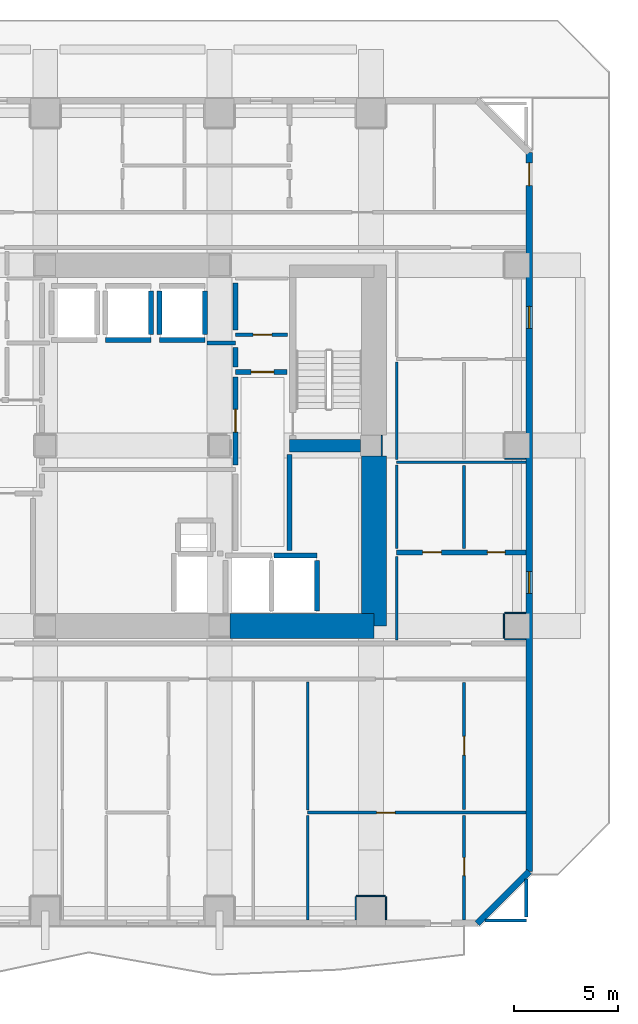
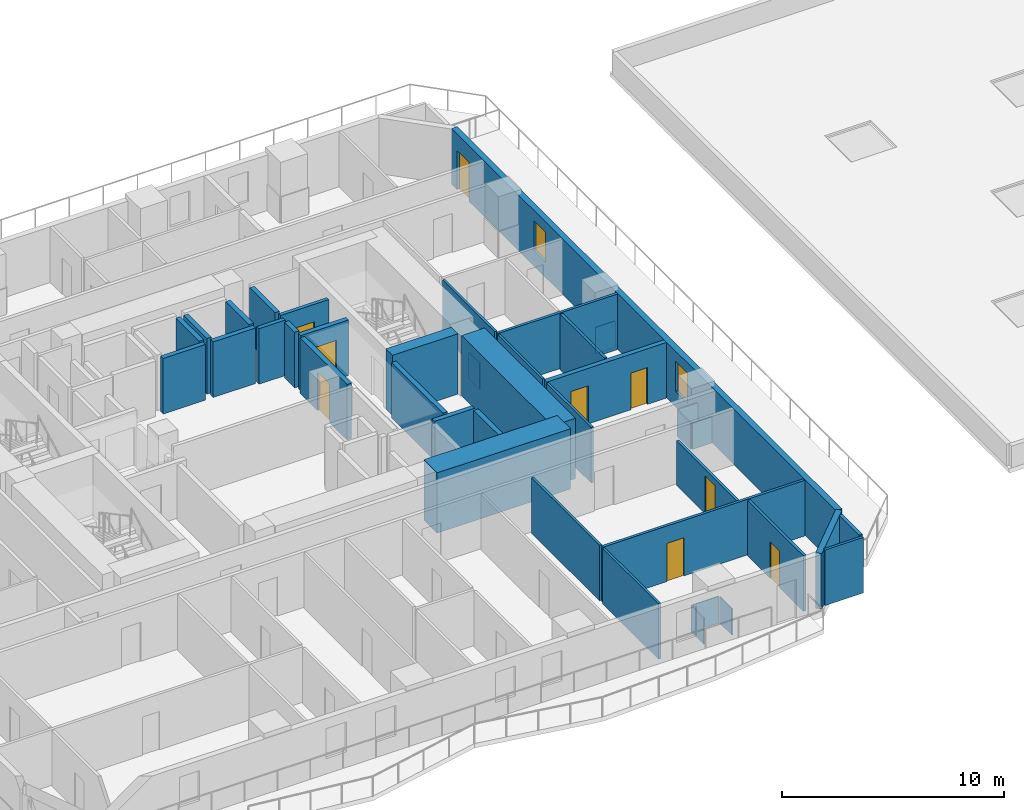
# One storey, part 6 of 13: 40 walls, 9 doors, 2 windows, 11 openings.
"""IFC4 building model written with IfcOpenShell, lengths in metres."""

from ifc_helpers import new_model, si_unit, direction, frame, frame_2d, origin, place, context, subcontext, project, spatial, rectangle, extrude, material, layer, layer_set, type_object, element, fill, save


model = new_model("IFC4")

# Units and contexts
model_context = context("Model", 3, precision=1e-05, world=origin(), true_north=direction((0.0, 1.0)))
body_context = subcontext(model_context, "Body", "Model", "MODEL_VIEW")
ifc_project = project(units=[si_unit("LENGTHUNIT", "METRE"), si_unit("AREAUNIT", "SQUARE_METRE"), si_unit("VOLUMEUNIT", "CUBIC_METRE"), si_unit("PLANEANGLEUNIT", "RADIAN"), si_unit("MASSUNIT", "GRAM", prefix="KILO")], contexts=[model_context])

# Site, building, storey
site_placement = place(None, origin())
site = spatial("IfcSite", under=ifc_project, at=site_placement, CompositionType="ELEMENT")
building_placement = place(site_placement, origin())
building = spatial("IfcBuilding", under=site, at=building_placement, Name="Solanera Arch Residences", CompositionType="ELEMENT")
storey_placement = place(building_placement, frame((0.0, 0.0, 22.0)))
storey = spatial("IfcBuildingStorey", under=building, at=storey_placement, Name="L05", CompositionType="ELEMENT", Elevation=22.0)

# Walls
ifc_material_1 = material(Name="Fire-Rated Gypsum Stud Partition", Category="gypsum")
ifc_layer_1 = layer(ifc_material_1, 0.06005859375)
ifc_layer_set_1 = layer_set([ifc_layer_1], Name="Fire-Rated Gypsum Stud Partition")
wall_type_1 = type_object("IfcWallType", Name="Column Acoustic Furring Wall 60", PredefinedType="PARTITIONING", material=ifc_layer_set_1)
wall_1_placement = place(storey_placement, frame((37.031982421875, 30.2099609375, 0.0), z_axis=(0.0, 0.0, 1.0), x_axis=(0.0, 1.0, 0.0)))
element("IfcWall", 1, at=wall_1_placement, inside=storey, type_object=wall_type_1, Name="L05 Column Furring 6E", PredefinedType="PARTITIONING", context=body_context, shape_type="SweptSolid", body=[
    extrude(rectangle(XDim=0.97998046875, YDim=0.06005859375, at=frame_2d((0.489990234375, 0.0))), origin(), (0.0, 0.0, 1.0), 1.449951171875),
])
wall_2_placement = place(storey_placement, frame((35.800048828125, 8.98193359375, 0.0), z_axis=(0.0, 0.0, 1.0), x_axis=(1.0, 0.0, 0.0)))
element("IfcWall", 2, at=wall_2_placement, inside=storey, type_object=wall_type_1, Name="L05 Column Furring 15N", PredefinedType="PARTITIONING", context=body_context, shape_type="SweptSolid", body=[
    extrude(rectangle(XDim=1.39990234375, YDim=0.06005859375, at=frame_2d((0.699951171875, 0.0))), origin(), (0.0, 0.0, 1.0), 1.449951171875),
])
for number, where, z_axis, x_axis, name in (
    (3, (35.76806640625, 7.830078125, 0.0), (0.0, 0.0, 1.0), (0.0, 1.0, 0.0), "L05 Column Furring 15W"),
    (4, (37.23193359375, 7.830078125, 0.0), (0.0, 0.0, 1.0), (0.0, 1.0, 0.0), "L05 Column Furring 15E"),
):
    element("IfcWall", number, at=place(storey_placement, frame(where, z_axis=z_axis, x_axis=x_axis)), inside=storey, type_object=wall_type_1, Name=name, PredefinedType="PARTITIONING", context=body_context, shape_type="SweptSolid", body=[
        extrude(rectangle(XDim=1.119873046875, YDim=0.06005859375, at=frame_2d((0.56005859375, 0.0))), origin(), (0.0, 0.0, 1.0), 1.449951171875),
    ])
for number, where, z_axis, x_axis, name in (
    (5, (42.949951171875, 21.367919921875, 0.0), (0.0, 0.0, 1.0), (1.0, 0.0, 0.0), "L05 Column Furring 18S"),
    (6, (42.949951171875, 22.632080078125, 0.0), (0.0, 0.0, 1.0), (1.0, 0.0, 0.0), "L05 Column Furring 18N"),
):
    element("IfcWall", number, at=place(storey_placement, frame(where, z_axis=z_axis, x_axis=x_axis)), inside=storey, type_object=wall_type_1, Name=name, PredefinedType="PARTITIONING", context=body_context, shape_type="SweptSolid", body=[
        extrude(rectangle(XDim=1.02001953125, YDim=0.06005859375, at=frame_2d((0.510009765625, 0.0))), origin(), (0.0, 0.0, 1.0), 1.449951171875),
    ])
wall_3_placement = place(storey_placement, frame((42.91796875, 21.39990234375, 0.0), z_axis=(0.0, 0.0, 1.0), x_axis=(0.0, 1.0, 0.0)))
element("IfcWall", 7, at=wall_3_placement, inside=storey, type_object=wall_type_1, Name="L05 Column Furring 18W", PredefinedType="PARTITIONING", context=body_context, shape_type="SweptSolid", body=[
    extrude(rectangle(XDim=1.2001953125, YDim=0.06005859375, at=frame_2d((0.60009765625, 0.0))), origin(), (0.0, 0.0, 1.0), 1.449951171875),
])
wall_4_placement = place(storey_placement, frame((42.949951171875, 30.068115234375, 0.0), z_axis=(0.0, 0.0, 1.0), x_axis=(1.0, 0.0, 0.0)))
element("IfcWall", 8, at=wall_4_placement, inside=storey, type_object=wall_type_1, Name="L05 Column Furring 20S", PredefinedType="PARTITIONING", context=body_context, shape_type="SweptSolid", body=[
    extrude(rectangle(XDim=1.02001953125, YDim=0.06005859375, at=frame_2d((0.510009765625, 0.0))), origin(), (0.0, 0.0, 1.0), 1.449951171875),
])
ifc_material_2 = material(Name="Concrete C55/67 (f'c = 60 MPa)", Category="concrete")
ifc_layer_2 = layer(ifc_material_2, 1.199951171875)
ifc_layer_set_2 = layer_set([ifc_layer_2], Name="Concrete C55/67 (f'c = 60 MPa)")
wall_type_2 = type_object("IfcWallType", Name="Core Shear Wall CW-1200", PredefinedType="SHEAR", material=ifc_layer_set_2)
wall_5_placement = place(storey_placement, frame((36.659912109375, 22.0, 0.0), z_axis=(0.0, 0.0, 1.0), x_axis=(0.0, 1.0, 0.0)))
element("IfcWall", 9, at=wall_5_placement, inside=storey, type_object=wall_type_2, Name="L05 East Core South Shear Wall", PredefinedType="SHEAR", context=body_context, shape_type="SweptSolid", body=[
    extrude(rectangle(XDim=8.195068359375, YDim=1.199951171875, at=frame_2d((4.09765625, 0.0))), origin(), (0.0, 0.0, 1.0), 3.320068359375),
])
wall_6_placement = place(storey_placement, frame((29.705078125, 22.0, 0.0), z_axis=(0.0, 0.0, 1.0), x_axis=(1.0, 0.0, 0.0)))
element("IfcWall", 10, at=wall_6_placement, inside=storey, type_object=wall_type_2, Name="L05 South-East Core Shear Wall", PredefinedType="SHEAR", context=body_context, shape_type="SweptSolid", body=[
    extrude(rectangle(XDim=6.954833984375, YDim=1.199951171875, at=frame_2d((3.4775390625, 0.0))), origin(), (0.0, 0.0, 1.0), 3.320068359375),
])
ifc_material_3 = material(Name="Concrete C40/50 (f'c = 45 MPa)", Category="concrete")
ifc_layer_3 = layer(ifc_material_3, 0.60009765625)
ifc_layer_set_3 = layer_set([ifc_layer_3], Name="Concrete C40/50 (f'c = 45 MPa)")
wall_type_3 = type_object("IfcWallType", Name="Core Shear Wall CW-600", PredefinedType="SHEAR", material=ifc_layer_set_3)
wall_7_placement = place(storey_placement, frame((32.580078125, 30.699951171875, 0.0), z_axis=(0.0, 0.0, 1.0), x_axis=(1.0, 0.0, 0.0)))
element("IfcWall", 11, at=wall_7_placement, inside=storey, type_object=wall_type_3, Name="L05 East Stair Far-Landing Shear Wall", PredefinedType="SHEAR", context=body_context, shape_type="SweptSolid", body=[
    extrude(rectangle(XDim=3.4150390625, YDim=0.60009765625, at=frame_2d((1.70751953125, 0.0))), origin(), (0.0, 0.0, 1.0), 3.320068359375),
])

# Wall, opening, door
ifc_material_4 = material(Name="Autoclaved Aerated Concrete Blockwork", Category="masonry")
ifc_layer_4 = layer(ifc_material_4, 0.179931640625)
ifc_layer_set_4 = layer_set([ifc_layer_4], Name="Autoclaved Aerated Concrete Blockwork")
wall_type_4 = type_object("IfcWallType", Name="Corridor Fire Partition 180", PredefinedType="PARTITIONING", material=ifc_layer_set_4)
wall_8_placement = place(storey_placement, frame((29.97509765625, 36.050048828125, 0.0), z_axis=(0.0, 0.0, 1.0), x_axis=(1.0, 0.0, 0.0)))
wall_8 = element("IfcWall", 12, at=wall_8_placement, inside=storey, type_object=wall_type_4, Name="L05 Interior Partition H11", PredefinedType="PARTITIONING", context=body_context, shape_type="SweptSolid", body=[
    extrude(rectangle(XDim=2.5048828125, YDim=0.179931640625, at=frame_2d((1.25244140625, 0.0))), origin(), (0.0, 0.0, 1.0), 3.06005859375),
])
opening_1_placement = place(wall_8_placement, frame((0.85205078125, 0.0, 0.0)))
opening_1 = element("IfcOpeningElement", 13, at=opening_1_placement, cuts=wall_8, Name="Opening DI-02", PredefinedType="OPENING", context=body_context, shape_type="SweptSolid", body=[
    extrude(rectangle(XDim=0.89990234375, YDim=2.10009765625, at=frame_2d((0.449951171875, 1.050048828125))), frame((0.0, 0.10009765625, 0.0), z_axis=(0.0, -1.0, 0.0), x_axis=(1.0, 0.0, 0.0)), (0.0, 0.0, 1.0), 0.1999),
])
ifc_material_5 = material(Name="Fire-Rated Architectural Hardwood", Category="wood")
door_type_1 = type_object("IfcDoorType", Name="Suite Room Swing Door DI-02", OperationType="NOTDEFINED", PredefinedType="DOOR", material=ifc_material_5)
door_1_placement = place(opening_1_placement, origin())
door_1 = element("IfcDoor", 14, at=door_1_placement, inside=storey, type_object=door_type_1, Name="DR-L05-IN-013", OperationType="SINGLE_SWING_RIGHT", OverallHeight=2.10009765625, OverallWidth=0.89990234375, PredefinedType="DOOR", context=body_context, shape_type="SweptSolid", body=[
    extrude(rectangle(XDim=0.89990234375, YDim=2.10009765625, at=frame_2d((0.449951171875, 1.050048828125))), frame((0.0, 0.02490234375, 0.0), z_axis=(0.0, -1.0, 0.0), x_axis=(1.0, 0.0, 0.0)), (0.0, 0.0, 1.0), 0.050048828125),
])
fill(opening_1, door_1)

# Wall
wall_9_placement = place(storey_placement, frame((44.0, 7.968017578125, 0.0), z_axis=(0.0, 0.0, 1.0), x_axis=(0.0, 1.0, 0.0)))
element("IfcWall", 15, at=wall_9_placement, inside=storey, type_object=wall_type_4, Name="L05 Interior Partition V10 1", PredefinedType="PARTITIONING", context=body_context, shape_type="SweptSolid", body=[
    extrude(rectangle(XDim=1.8330078125, YDim=0.179931640625, at=frame_2d((0.91650390625, 0.0))), origin(), (0.0, 0.0, 1.0), 3.06005859375),
])

# Wall, openings, door, windows
ifc_material_6 = material(Name="Precast Concrete C35/45", Category="concrete")
ifc_layer_5 = layer(ifc_material_6, 0.300048828125)
ifc_layer_set_5 = layer_set([ifc_layer_5], Name="Precast Concrete C35/45")
wall_type_5 = type_object("IfcWallType", Name="Exterior Wall Precast Masonry-Frame 300", PredefinedType="STANDARD", material=ifc_layer_set_5)
wall_10_placement = place(storey_placement, frame((44.135009765625, 44.8349609375, 0.0), z_axis=(0.0, 0.0, 1.0), x_axis=(0.0, -1.0, 0.0)))
wall_10 = element("IfcWall", 16, at=wall_10_placement, inside=storey, type_object=wall_type_5, Name="L05 Tower Exterior Precast Masonry-Frame Wall E", PredefinedType="STANDARD", context=body_context, shape_type="SweptSolid", body=[
    extrude(rectangle(XDim=34.669921875, YDim=0.300048828125, at=frame_2d((17.3349609375, 0.0))), origin(), (0.0, 0.0, 1.0), 3.06005859375),
])
opening_2_placement = place(wall_10_placement, frame((0.5009765625, 0.0, 0.0)))
opening_2 = element("IfcOpeningElement", 17, at=opening_2_placement, cuts=wall_10, Name="Opening DB-02", PredefinedType="OPENING", context=body_context, shape_type="SweptSolid", body=[
    extrude(rectangle(XDim=1.10009765625, YDim=2.14990234375, at=frame_2d((0.550048828125, 1.074951171875))), frame((0.0, 0.159912109375, 0.0), z_axis=(0.0, -1.0, 0.0), x_axis=(1.0, 0.0, 0.0)), (0.0, 0.0, 1.0), 0.32),
])
opening_3_placement = place(wall_10_placement, frame((20.2099609375, 0.0, 0.85009765625)))
opening_3 = element("IfcOpeningElement", 18, at=opening_3_placement, cuts=wall_10, Name="Opening W-07", PredefinedType="OPENING", context=body_context, shape_type="SweptSolid", body=[
    extrude(rectangle(XDim=1.050048828125, YDim=1.64990234375, at=frame_2d((0.52490234375, 0.824951171875))), frame((0.0, 0.159912109375, 0.0), z_axis=(0.0, -1.0, 0.0), x_axis=(1.0, 0.0, 0.0)), (0.0, 0.0, 1.0), 0.32),
])
opening_4_placement = place(wall_10_placement, frame((7.426025390625, 0.0, 0.85009765625)))
opening_4 = element("IfcOpeningElement", 19, at=opening_4_placement, cuts=wall_10, Name="Opening W-07", PredefinedType="OPENING", context=body_context, shape_type="SweptSolid", body=[
    extrude(rectangle(XDim=1.050048828125, YDim=1.64990234375, at=frame_2d((0.52490234375, 0.824951171875))), frame((0.0, 0.159912109375, 0.0), z_axis=(0.0, -1.0, 0.0), x_axis=(1.0, 0.0, 0.0)), (0.0, 0.0, 1.0), 0.32),
])
ifc_material_7 = material(Name="Anodised Aluminium Alloy 6063-T6", Category="aluminium")
door_type_2 = type_object("IfcDoorType", Name="Glazed Terrace Swing Door DB-02", OperationType="NOTDEFINED", PredefinedType="DOOR", material=ifc_material_7)
door_2_placement = place(opening_2_placement, origin())
door_2 = element("IfcDoor", 20, at=door_2_placement, inside=storey, type_object=door_type_2, Name="DR-L05-OUT-02", OperationType="SINGLE_SWING_RIGHT", OverallHeight=2.14990234375, OverallWidth=1.10009765625, PredefinedType="DOOR", context=body_context, shape_type="SweptSolid", body=[
    extrude(rectangle(XDim=1.10009765625, YDim=2.14990234375, at=frame_2d((0.550048828125, 1.074951171875))), frame((0.0, 0.02490234375, 0.0), z_axis=(0.0, -1.0, 0.0), x_axis=(1.0, 0.0, 0.0)), (0.0, 0.0, 1.0), 0.050048828125),
])
fill(opening_2, door_2)
ifc_material_8 = material(Name="Double Glazed Low-E Laminated Glass", Category="glass")
window_type = type_object("IfcWindowType", Name="Punched Window W-07", PartitioningType="SINGLE_PANEL", PredefinedType="WINDOW", material=ifc_material_8)
window_1_placement = place(opening_3_placement, origin())
window_1 = element("IfcWindow", 21, at=window_1_placement, inside=storey, type_object=window_type, Name="L05 0510-LIV Punched Window", OverallHeight=1.64990234375, OverallWidth=1.050048828125, PartitioningType="SINGLE_PANEL", PredefinedType="WINDOW", context=body_context, shape_type="SweptSolid", body=[
    extrude(rectangle(XDim=1.050048828125, YDim=1.64990234375, at=frame_2d((0.52490234375, 0.824951171875))), frame((0.0, 0.030029296875, 0.0), z_axis=(0.0, -1.0, 0.0), x_axis=(1.0, 0.0, 0.0)), (0.0, 0.0, 1.0), 0.06005859375),
])
fill(opening_3, window_1)
window_2_placement = place(opening_4_placement, origin())
window_2 = element("IfcWindow", 22, at=window_2_placement, inside=storey, type_object=window_type, Name="L05 0511-LIV Punched Window", OverallHeight=1.64990234375, OverallWidth=1.050048828125, PartitioningType="SINGLE_PANEL", PredefinedType="WINDOW", context=body_context, shape_type="SweptSolid", body=[
    extrude(rectangle(XDim=1.050048828125, YDim=1.64990234375, at=frame_2d((0.52490234375, 0.824951171875))), frame((0.0, 0.030029296875, 0.0), z_axis=(0.0, -1.0, 0.0), x_axis=(1.0, 0.0, 0.0)), (0.0, 0.0, 1.0), 0.06005859375),
])
fill(opening_4, window_2)

# Walls
wall_11_placement = place(storey_placement, frame((44.135009765625, 10.1650390625, 0.0), z_axis=(0.0, 0.0, 1.0), x_axis=(-0.707106781187, -0.707106781187, 0.0)))
element("IfcWall", 23, at=wall_11_placement, inside=storey, type_object=wall_type_5, Name="L05 Tower Exterior Precast Masonry-Frame Wall CH5", PredefinedType="STANDARD", context=body_context, shape_type="SweptSolid", body=[
    extrude(rectangle(XDim=3.53564453125, YDim=0.300048828125, at=frame_2d((1.767822265625, 0.0))), origin(), (0.0, 0.0, 1.0), 3.06005859375),
])
ifc_material_9 = material(Name="Autoclaved Aerated Concrete Blockwork", Category="masonry")
ifc_layer_6 = layer(ifc_material_9, 0.199951171875)
ifc_layer_set_6 = layer_set([ifc_layer_6], Name="Autoclaved Aerated Concrete Blockwork")
wall_type_6 = type_object("IfcWallType", Name="Party Wall Acoustic 200", PredefinedType="PARTITIONING", material=ifc_layer_set_6)
wall_12_placement = place(storey_placement, frame((28.60400390625, 35.64990234375, 0.0), z_axis=(0.0, 0.0, 1.0), x_axis=(1.0, 0.0, 0.0)))
element("IfcWall", 24, at=wall_12_placement, inside=storey, type_object=wall_type_6, Name="L05 Interior Partition H8 2", PredefinedType="PARTITIONING", context=body_context, shape_type="SweptSolid", body=[
    extrude(rectangle(XDim=1.37109375, YDim=0.199951171875, at=frame_2d((0.685546875, 0.0))), origin(), (0.0, 0.0, 1.0), 3.06005859375),
])
ifc_material_10 = material(Name="Autoclaved Aerated Concrete Blockwork", Category="masonry")
ifc_layer_7 = layer(ifc_material_10, 0.239990234375)
ifc_layer_set_7 = layer_set([ifc_layer_7], Name="Autoclaved Aerated Concrete Blockwork")
wall_type_7 = type_object("IfcWallType", Name="Shaft Wall Fire-Rated 240", PredefinedType="PARTITIONING", material=ifc_layer_set_7)
wall_13_placement = place(storey_placement, frame((23.699951171875, 35.800048828125, 0.0), z_axis=(0.0, 0.0, 1.0), x_axis=(1.0, 0.0, 0.0)))
element("IfcWall", 25, at=wall_13_placement, inside=storey, type_object=wall_type_7, Name="L05 Lift PL-L2 Hoistway Wall S", PredefinedType="PARTITIONING", context=body_context, shape_type="SweptSolid", body=[
    extrude(rectangle(XDim=2.199951171875, YDim=0.239990234375, at=frame_2d((1.10009765625, 0.0))), origin(), (0.0, 0.0, 1.0), 3.06005859375),
])
wall_14_placement = place(storey_placement, frame((25.89990234375, 36.048095703125, 0.0), z_axis=(0.0, 0.0, 1.0), x_axis=(0.0, 1.0, 0.0)))
element("IfcWall", 26, at=wall_14_placement, inside=storey, type_object=wall_type_7, Name="L05 Lift PL-L2 Hoistway Wall E", PredefinedType="PARTITIONING", context=body_context, shape_type="SweptSolid", body=[
    extrude(rectangle(XDim=2.10400390625, YDim=0.239990234375, at=frame_2d((1.052001953125, 0.0))), origin(), (0.0, 0.0, 1.0), 3.06005859375),
])
wall_15_placement = place(storey_placement, frame((26.300048828125, 35.800048828125, 0.0), z_axis=(0.0, 0.0, 1.0), x_axis=(1.0, 0.0, 0.0)))
element("IfcWall", 27, at=wall_15_placement, inside=storey, type_object=wall_type_7, Name="L05 Lift PL-L3 Hoistway Wall S", PredefinedType="PARTITIONING", context=body_context, shape_type="SweptSolid", body=[
    extrude(rectangle(XDim=2.199951171875, YDim=0.239990234375, at=frame_2d((1.10009765625, 0.0))), origin(), (0.0, 0.0, 1.0), 3.06005859375),
])
for number, where, z_axis, x_axis, name in (
    (28, (26.300048828125, 36.048095703125, 0.0), (0.0, 0.0, 1.0), (0.0, 1.0, 0.0), "L05 Lift PL-L3 Hoistway Wall W"),
    (29, (28.5, 36.048095703125, 0.0), (0.0, 0.0, 1.0), (0.0, 1.0, 0.0), "L05 Lift PL-L3 Hoistway Wall E"),
):
    element("IfcWall", number, at=place(storey_placement, frame(where, z_axis=z_axis, x_axis=x_axis)), inside=storey, type_object=wall_type_7, Name=name, PredefinedType="PARTITIONING", context=body_context, shape_type="SweptSolid", body=[
        extrude(rectangle(XDim=2.10400390625, YDim=0.239990234375, at=frame_2d((1.052001953125, 0.0))), origin(), (0.0, 0.0, 1.0), 3.06005859375),
    ])
wall_16_placement = place(storey_placement, frame((31.827880859375, 25.39990234375, 0.0), z_axis=(0.0, 0.0, 1.0), x_axis=(1.0, 0.0, 0.0)))
element("IfcWall", 30, at=wall_16_placement, inside=storey, type_object=wall_type_7, Name="L05 Lift FFL-2 Hoistway Wall N", PredefinedType="PARTITIONING", context=body_context, shape_type="SweptSolid", body=[
    extrude(rectangle(XDim=2.072021484375, YDim=0.239990234375, at=frame_2d((1.0361328125, 0.0))), origin(), (0.0, 0.0, 1.0), 3.06005859375),
])
wall_17_placement = place(storey_placement, frame((33.89990234375, 22.72998046875, 0.0), z_axis=(0.0, 0.0, 1.0), x_axis=(0.0, 1.0, 0.0)))
element("IfcWall", 31, at=wall_17_placement, inside=storey, type_object=wall_type_7, Name="L05 Lift FFL-2 Hoistway Wall E", PredefinedType="PARTITIONING", context=body_context, shape_type="SweptSolid", body=[
    extrude(rectangle(XDim=2.422119140625, YDim=0.239990234375, at=frame_2d((1.2109375, 0.0))), origin(), (0.0, 0.0, 1.0), 3.06005859375),
])

# Wall, openings, doors
wall_18_placement = place(storey_placement, frame((37.75, 25.550048828125, 0.0), z_axis=(0.0, 0.0, 1.0), x_axis=(1.0, 0.0, 0.0)))
wall_18 = element("IfcWall", 32, at=wall_18_placement, inside=storey, type_object=wall_type_7, Name="L05 Interior Partition H3", PredefinedType="PARTITIONING", context=body_context, shape_type="SweptSolid", body=[
    extrude(rectangle(XDim=6.222900390625, YDim=0.239990234375, at=frame_2d((3.111328125, 0.0))), origin(), (0.0, 0.0, 1.0), 3.06005859375),
])
opening_5_placement = place(wall_18_placement, frame((1.25, 0.0, 0.0)))
opening_5 = element("IfcOpeningElement", 33, at=opening_5_placement, cuts=wall_18, Name="Opening DI-02", PredefinedType="OPENING", context=body_context, shape_type="SweptSolid", body=[
    extrude(rectangle(XDim=0.89990234375, YDim=2.10009765625, at=frame_2d((0.449951171875, 1.050048828125))), frame((0.0, 0.1298828125, 0.0), z_axis=(0.0, -1.0, 0.0), x_axis=(1.0, 0.0, 0.0)), (0.0, 0.0, 1.0), 0.26),
])
opening_6_placement = place(wall_18_placement, frame((4.3701171875, 0.0, 0.0)))
opening_6 = element("IfcOpeningElement", 34, at=opening_6_placement, cuts=wall_18, Name="Opening DI-05", PredefinedType="OPENING", context=body_context, shape_type="SweptSolid", body=[
    extrude(rectangle(XDim=0.860107421875, YDim=2.02001953125, at=frame_2d((0.43017578125, 1.010009765625))), frame((0.0, 0.1298828125, 0.0), z_axis=(0.0, -1.0, 0.0), x_axis=(1.0, 0.0, 0.0)), (0.0, 0.0, 1.0), 0.26),
])
ifc_material_11 = material(Name="Fire-Rated Architectural Hardwood", Category="wood")
door_type_3 = type_object("IfcDoorType", Name="Bathroom Swing Door DI-05", OperationType="NOTDEFINED", PredefinedType="DOOR", material=ifc_material_11)
door_3_placement = place(opening_6_placement, origin())
door_3 = element("IfcDoor", 35, at=door_3_placement, inside=storey, type_object=door_type_3, Name="DR-L05-IN-052", OperationType="SINGLE_SWING_LEFT", OverallHeight=2.02001953125, OverallWidth=0.860107421875, PredefinedType="DOOR", context=body_context, shape_type="SweptSolid", body=[
    extrude(rectangle(XDim=0.860107421875, YDim=2.02001953125, at=frame_2d((0.43017578125, 1.010009765625))), frame((0.0, 0.02490234375, 0.0), z_axis=(0.0, -1.0, 0.0), x_axis=(1.0, 0.0, 0.0)), (0.0, 0.0, 1.0), 0.050048828125),
])
fill(opening_6, door_3)
door_4_placement = place(opening_5_placement, origin())
door_4 = element("IfcDoor", 36, at=door_4_placement, inside=storey, type_object=door_type_1, Name="DR-L05-IN-051", OperationType="SINGLE_SWING_RIGHT", OverallHeight=2.10009765625, OverallWidth=0.89990234375, PredefinedType="DOOR", context=body_context, shape_type="SweptSolid", body=[
    extrude(rectangle(XDim=0.89990234375, YDim=2.10009765625, at=frame_2d((0.449951171875, 1.050048828125))), frame((0.0, 0.02490234375, 0.0), z_axis=(0.0, -1.0, 0.0), x_axis=(1.0, 0.0, 0.0)), (0.0, 0.0, 1.0), 0.050048828125),
])
fill(opening_5, door_4)

# Wall, opening, door
wall_19_placement = place(storey_placement, frame((29.97509765625, 34.25, 0.0), z_axis=(0.0, 0.0, 1.0), x_axis=(1.0, 0.0, 0.0)))
wall_19 = element("IfcWall", 37, at=wall_19_placement, inside=storey, type_object=wall_type_7, Name="L05 Interior Partition H7", PredefinedType="PARTITIONING", context=body_context, shape_type="SweptSolid", body=[
    extrude(rectangle(XDim=2.474853515625, YDim=0.239990234375, at=frame_2d((1.2373046875, 0.0))), origin(), (0.0, 0.0, 1.0), 3.06005859375),
])
opening_7_placement = place(wall_19_placement, frame((0.751953125, 0.0, 0.0)))
opening_7 = element("IfcOpeningElement", 38, at=opening_7_placement, cuts=wall_19, Name="Opening DF-02", PredefinedType="OPENING", context=body_context, shape_type="SweptSolid", body=[
    extrude(rectangle(XDim=1.10009765625, YDim=2.14990234375, at=frame_2d((0.550048828125, 1.074951171875))), frame((0.0, 0.1298828125, 0.0), z_axis=(0.0, -1.0, 0.0), x_axis=(1.0, 0.0, 0.0)), (0.0, 0.0, 1.0), 0.26),
])
ifc_material_12 = material(Name="Fire-Rated Architectural Hardwood", Category="wood")
door_type_4 = type_object("IfcDoorType", Name="Firefighting Lobby Fire Door DF-02", OperationType="NOTDEFINED", PredefinedType="DOOR", material=ifc_material_12)
door_5_placement = place(opening_7_placement, origin())
door_5 = element("IfcDoor", 39, at=door_5_placement, inside=storey, type_object=door_type_4, Name="DR-L05-IN-007", OperationType="SINGLE_SWING_RIGHT", OverallHeight=2.14990234375, OverallWidth=1.10009765625, PredefinedType="DOOR", context=body_context, shape_type="SweptSolid", body=[
    extrude(rectangle(XDim=1.10009765625, YDim=2.14990234375, at=frame_2d((0.550048828125, 1.074951171875))), frame((0.0, 0.02490234375, 0.0), z_axis=(0.0, -1.0, 0.0), x_axis=(1.0, 0.0, 0.0)), (0.0, 0.0, 1.0), 0.050048828125),
])
fill(opening_7, door_5)

wall_20_placement = place(storey_placement, frame((29.97509765625, 29.76806640625, 0.0), z_axis=(0.0, 0.0, 1.0), x_axis=(0.0, 1.0, 0.0)))
wall_20 = element("IfcWall", 40, at=wall_20_placement, inside=storey, type_object=wall_type_7, Name="L05 Interior Partition V4 2", PredefinedType="PARTITIONING", context=body_context, shape_type="SweptSolid", body=[
    extrude(rectangle(XDim=4.23388671875, YDim=0.239990234375, at=frame_2d((2.116943359375, 0.0))), origin(), (0.0, 0.0, 1.0), 3.06005859375),
])
opening_8_placement = place(wall_20_placement, frame((1.58203125, 0.0, 0.0)))
opening_8 = element("IfcOpeningElement", 41, at=opening_8_placement, cuts=wall_20, Name="Opening DF-02", PredefinedType="OPENING", context=body_context, shape_type="SweptSolid", body=[
    extrude(rectangle(XDim=1.10009765625, YDim=2.14990234375, at=frame_2d((0.550048828125, 1.074951171875))), frame((0.0, 0.1298828125, 0.0), z_axis=(0.0, -1.0, 0.0), x_axis=(1.0, 0.0, 0.0)), (0.0, 0.0, 1.0), 0.26),
])
door_6_placement = place(opening_8_placement, origin())
door_6 = element("IfcDoor", 42, at=door_6_placement, inside=storey, type_object=door_type_4, Name="DR-L05-IN-006", OperationType="SINGLE_SWING_LEFT", OverallHeight=2.14990234375, OverallWidth=1.10009765625, PredefinedType="DOOR", context=body_context, shape_type="SweptSolid", body=[
    extrude(rectangle(XDim=1.10009765625, YDim=2.14990234375, at=frame_2d((0.550048828125, 1.074951171875))), frame((0.0, 0.02490234375, 0.0), z_axis=(0.0, -1.0, 0.0), x_axis=(1.0, 0.0, 0.0)), (0.0, 0.0, 1.0), 0.050048828125),
])
fill(opening_8, door_6)

# Walls
wall_21_placement = place(storey_placement, frame((29.97509765625, 34.498046875, 0.0), z_axis=(0.0, 0.0, 1.0), x_axis=(0.0, 1.0, 0.0)))
element("IfcWall", 43, at=wall_21_placement, inside=storey, type_object=wall_type_7, Name="L05 Interior Partition V4 3", PredefinedType="PARTITIONING", context=body_context, shape_type="SweptSolid", body=[
    extrude(rectangle(XDim=0.924072265625, YDim=0.239990234375, at=frame_2d((0.4619140625, 0.0))), origin(), (0.0, 0.0, 1.0), 3.06005859375),
])
wall_22_placement = place(storey_placement, frame((29.97509765625, 36.26806640625, 0.0), z_axis=(0.0, 0.0, 1.0), x_axis=(0.0, 1.0, 0.0)))
element("IfcWall", 44, at=wall_22_placement, inside=storey, type_object=wall_type_7, Name="L05 Interior Partition V4 4", PredefinedType="PARTITIONING", context=body_context, shape_type="SweptSolid", body=[
    extrude(rectangle(XDim=2.283935546875, YDim=0.239990234375, at=frame_2d((1.14208984375, 0.0))), origin(), (0.0, 0.0, 1.0), 3.06005859375),
])
wall_23_placement = place(storey_placement, frame((32.580078125, 25.64794921875, 0.0), z_axis=(0.0, 0.0, 1.0), x_axis=(0.0, 1.0, 0.0)))
element("IfcWall", 45, at=wall_23_placement, inside=storey, type_object=wall_type_7, Name="L05 Interior Partition V5", PredefinedType="PARTITIONING", context=body_context, shape_type="SweptSolid", body=[
    extrude(rectangle(XDim=4.6220703125, YDim=0.239990234375, at=frame_2d((2.31103515625, 0.0))), origin(), (0.0, 0.0, 1.0), 3.06005859375),
])
ifc_material_13 = material(Name="Fire-Rated Gypsum Stud Partition", Category="gypsum")
ifc_layer_8 = layer(ifc_material_13, 0.1201171875)
ifc_layer_set_8 = layer_set([ifc_layer_8], Name="Fire-Rated Gypsum Stud Partition")
wall_type_8 = type_object("IfcWallType", Name="Unit Drywall Partition 120", PredefinedType="PARTITIONING", material=ifc_layer_set_8)
wall_24_placement = place(storey_placement, frame((33.451904296875, 7.826904296875, 0.0), z_axis=(0.0, 0.0, 1.0), x_axis=(0.0, 1.0, 0.0)))
element("IfcWall", 46, at=wall_24_placement, inside=storey, type_object=wall_type_8, Name="L05 Interior Partition V30 1", PredefinedType="PARTITIONING", context=body_context, shape_type="SweptSolid", body=[
    extrude(rectangle(XDim=5.03515625, YDim=0.1201171875, at=frame_2d((2.517578125, 0.0))), origin(), (0.0, 0.0, 1.0), 3.06005859375),
])
wall_25_placement = place(storey_placement, frame((33.451904296875, 13.137939453125, 0.0), z_axis=(0.0, 0.0, 1.0), x_axis=(0.0, 1.0, 0.0)))
element("IfcWall", 47, at=wall_25_placement, inside=storey, type_object=wall_type_8, Name="L05 Interior Partition V30 2", PredefinedType="PARTITIONING", context=body_context, shape_type="SweptSolid", body=[
    extrude(rectangle(XDim=6.154052734375, YDim=0.1201171875, at=frame_2d((3.0771484375, 0.0))), origin(), (0.0, 0.0, 1.0), 3.06005859375),
])
wall_26_placement = place(storey_placement, frame((37.75, 21.337890625, 0.0), z_axis=(0.0, 0.0, 1.0), x_axis=(0.0, 1.0, 0.0)))
element("IfcWall", 48, at=wall_26_placement, inside=storey, type_object=wall_type_8, Name="L05 Interior Partition V31 1", PredefinedType="PARTITIONING", context=body_context, shape_type="SweptSolid", body=[
    extrude(rectangle(XDim=4.024169921875, YDim=0.1201171875, at=frame_2d((2.01220703125, 0.0))), origin(), (0.0, 0.0, 1.0), 3.06005859375),
])
wall_27_placement = place(storey_placement, frame((37.75, 25.738037109375, 0.0), z_axis=(0.0, 0.0, 1.0), x_axis=(0.0, 1.0, 0.0)))
element("IfcWall", 49, at=wall_27_placement, inside=storey, type_object=wall_type_8, Name="L05 Interior Partition V31 2", PredefinedType="PARTITIONING", context=body_context, shape_type="SweptSolid", body=[
    extrude(rectangle(XDim=4.02392578125, YDim=0.1201171875, at=frame_2d((2.011962890625, 0.0))), origin(), (0.0, 0.0, 1.0), 3.06005859375),
])
wall_28_placement = place(storey_placement, frame((37.75, 30.0380859375, 0.0), z_axis=(0.0, 0.0, 1.0), x_axis=(0.0, 1.0, 0.0)))
element("IfcWall", 50, at=wall_28_placement, inside=storey, type_object=wall_type_8, Name="L05 Interior Partition V31 3", PredefinedType="PARTITIONING", context=body_context, shape_type="SweptSolid", body=[
    extrude(rectangle(XDim=4.69189453125, YDim=0.1201171875, at=frame_2d((2.345947265625, 0.0))), origin(), (0.0, 0.0, 1.0), 3.06005859375),
])
ifc_material_14 = material(Name="Autoclaved Aerated Concrete Blockwork", Category="masonry")
ifc_layer_9 = layer(ifc_material_14, 0.139892578125)
ifc_layer_set_9 = layer_set([ifc_layer_9], Name="Autoclaved Aerated Concrete Blockwork")
wall_type_9 = type_object("IfcWallType", Name="Wet-Room Partition 140", PredefinedType="PARTITIONING", material=ifc_layer_set_9)
wall_29_placement = place(storey_placement, frame((41.9990234375, 7.800048828125, 0.0), z_axis=(0.0, 0.0, 1.0), x_axis=(1.0, 0.0, 0.0)))
element("IfcWall", 51, at=wall_29_placement, inside=storey, type_object=wall_type_9, Name="L05 Interior Partition H14 2", PredefinedType="PARTITIONING", context=body_context, shape_type="SweptSolid", body=[
    extrude(rectangle(XDim=2.0009765625, YDim=0.139892578125, at=frame_2d((1.00048828125, 0.0))), origin(), (0.0, 0.0, 1.0), 3.06005859375),
])

# Wall, opening, door
wall_30_placement = place(storey_placement, frame((33.451904296875, 13.0, 0.0), z_axis=(0.0, 0.0, 1.0), x_axis=(1.0, 0.0, 0.0)))
wall_30 = element("IfcWall", 52, at=wall_30_placement, inside=storey, type_object=wall_type_9, Name="L05 Interior Partition H17", PredefinedType="PARTITIONING", context=body_context, shape_type="SweptSolid", body=[
    extrude(rectangle(XDim=10.52099609375, YDim=0.139892578125, at=frame_2d((5.260498046875, 0.0))), origin(), (0.0, 0.0, 1.0), 3.06005859375),
])
opening_9_placement = place(wall_30_placement, frame((3.323974609375, 0.0, 0.0)))
opening_9 = element("IfcOpeningElement", 53, at=opening_9_placement, cuts=wall_30, Name="Opening DI-02", PredefinedType="OPENING", context=body_context, shape_type="SweptSolid", body=[
    extrude(rectangle(XDim=0.89990234375, YDim=2.10009765625, at=frame_2d((0.449951171875, 1.050048828125))), frame((0.0, 0.079833984375, 0.0), z_axis=(0.0, -1.0, 0.0), x_axis=(1.0, 0.0, 0.0)), (0.0, 0.0, 1.0), 0.1599),
])
door_7_placement = place(opening_9_placement, origin())
door_7 = element("IfcDoor", 54, at=door_7_placement, inside=storey, type_object=door_type_1, Name="DR-L05-IN-028", OperationType="SINGLE_SWING_LEFT", OverallHeight=2.10009765625, OverallWidth=0.89990234375, PredefinedType="DOOR", context=body_context, shape_type="SweptSolid", body=[
    extrude(rectangle(XDim=0.89990234375, YDim=2.10009765625, at=frame_2d((0.449951171875, 1.050048828125))), frame((0.0, 0.02490234375, 0.0), z_axis=(0.0, -1.0, 0.0), x_axis=(1.0, 0.0, 0.0)), (0.0, 0.0, 1.0), 0.050048828125),
])
fill(opening_9, door_7)

# Wall
wall_31_placement = place(storey_placement, frame((37.75, 29.89990234375, 0.0), z_axis=(0.0, 0.0, 1.0), x_axis=(1.0, 0.0, 0.0)))
element("IfcWall", 55, at=wall_31_placement, inside=storey, type_object=wall_type_9, Name="L05 Interior Partition H20", PredefinedType="PARTITIONING", context=body_context, shape_type="SweptSolid", body=[
    extrude(rectangle(XDim=6.222900390625, YDim=0.139892578125, at=frame_2d((3.111328125, 0.0))), origin(), (0.0, 0.0, 1.0), 3.06005859375),
])

# Wall, opening, door
wall_32_placement = place(storey_placement, frame((41.0, 7.826904296875, 0.0), z_axis=(0.0, 0.0, 1.0), x_axis=(0.0, 1.0, 0.0)))
wall_32 = element("IfcWall", 56, at=wall_32_placement, inside=storey, type_object=wall_type_9, Name="L05 Interior Partition V24 1", PredefinedType="PARTITIONING", context=body_context, shape_type="SweptSolid", body=[
    extrude(rectangle(XDim=5.025146484375, YDim=0.139892578125, at=frame_2d((2.5126953125, 0.0))), origin(), (0.0, 0.0, 1.0), 3.06005859375),
])
opening_10_placement = place(wall_32_placement, frame((2.14306640625, 0.0, 0.0)))
opening_10 = element("IfcOpeningElement", 57, at=opening_10_placement, cuts=wall_32, Name="Opening DI-05", PredefinedType="OPENING", context=body_context, shape_type="SweptSolid", body=[
    extrude(rectangle(XDim=0.860107421875, YDim=2.02001953125, at=frame_2d((0.43017578125, 1.010009765625))), frame((0.0, 0.079833984375, 0.0), z_axis=(0.0, -1.0, 0.0), x_axis=(1.0, 0.0, 0.0)), (0.0, 0.0, 1.0), 0.1599),
])
door_8_placement = place(opening_10_placement, origin())
door_8 = element("IfcDoor", 58, at=door_8_placement, inside=storey, type_object=door_type_3, Name="DR-L05-IN-030", OperationType="SINGLE_SWING_LEFT", OverallHeight=2.02001953125, OverallWidth=0.860107421875, PredefinedType="DOOR", context=body_context, shape_type="SweptSolid", body=[
    extrude(rectangle(XDim=0.860107421875, YDim=2.02001953125, at=frame_2d((0.43017578125, 1.010009765625))), frame((0.0, 0.02490234375, 0.0), z_axis=(0.0, -1.0, 0.0), x_axis=(1.0, 0.0, 0.0)), (0.0, 0.0, 1.0), 0.050048828125),
])
fill(opening_10, door_8)

wall_33_placement = place(storey_placement, frame((41.0, 13.14794921875, 0.0), z_axis=(0.0, 0.0, 1.0), x_axis=(0.0, 1.0, 0.0)))
wall_33 = element("IfcWall", 59, at=wall_33_placement, inside=storey, type_object=wall_type_9, Name="L05 Interior Partition V24 2", PredefinedType="PARTITIONING", context=body_context, shape_type="SweptSolid", body=[
    extrude(rectangle(XDim=6.134033203125, YDim=0.139892578125, at=frame_2d((3.06689453125, 0.0))), origin(), (0.0, 0.0, 1.0), 2.445068359375),
])
opening_11_placement = place(wall_33_placement, frame((2.626953125, 0.0, 0.0)))
opening_11 = element("IfcOpeningElement", 60, at=opening_11_placement, cuts=wall_33, Name="Opening DI-02", PredefinedType="OPENING", context=body_context, shape_type="SweptSolid", body=[
    extrude(rectangle(XDim=0.89990234375, YDim=2.10009765625, at=frame_2d((0.449951171875, 1.050048828125))), frame((0.0, 0.079833984375, 0.0), z_axis=(0.0, -1.0, 0.0), x_axis=(1.0, 0.0, 0.0)), (0.0, 0.0, 1.0), 0.1599),
])
door_9_placement = place(opening_11_placement, origin())
door_9 = element("IfcDoor", 61, at=door_9_placement, inside=storey, type_object=door_type_1, Name="DR-L05-IN-029", OperationType="SINGLE_SWING_RIGHT", OverallHeight=2.10009765625, OverallWidth=0.89990234375, PredefinedType="DOOR", context=body_context, shape_type="SweptSolid", body=[
    extrude(rectangle(XDim=0.89990234375, YDim=2.10009765625, at=frame_2d((0.449951171875, 1.050048828125))), frame((0.0, 0.02490234375, 0.0), z_axis=(0.0, -1.0, 0.0), x_axis=(1.0, 0.0, 0.0)), (0.0, 0.0, 1.0), 0.050048828125),
])
fill(opening_11, door_9)

# Wall
wall_34_placement = place(storey_placement, frame((41.0, 25.748046875, 0.0), z_axis=(0.0, 0.0, 1.0), x_axis=(0.0, 1.0, 0.0)))
element("IfcWall", 62, at=wall_34_placement, inside=storey, type_object=wall_type_9, Name="L05 Interior Partition V25 1", PredefinedType="PARTITIONING", context=body_context, shape_type="SweptSolid", body=[
    extrude(rectangle(XDim=4.00390625, YDim=0.139892578125, at=frame_2d((2.001953125, 0.0))), origin(), (0.0, 0.0, 1.0), 3.06005859375),
])

save(model, "model.ifc")
